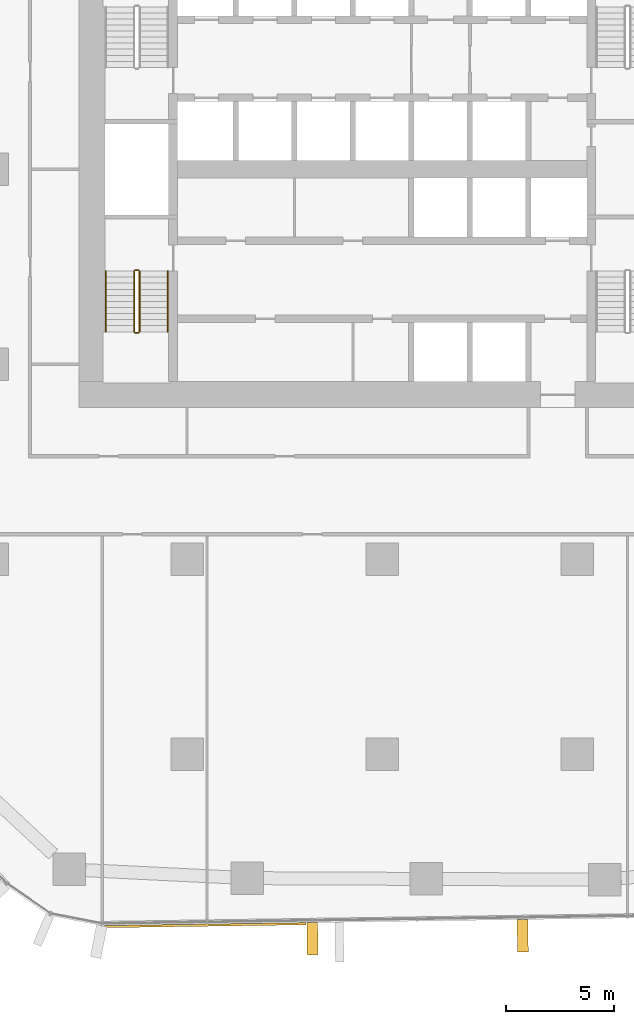
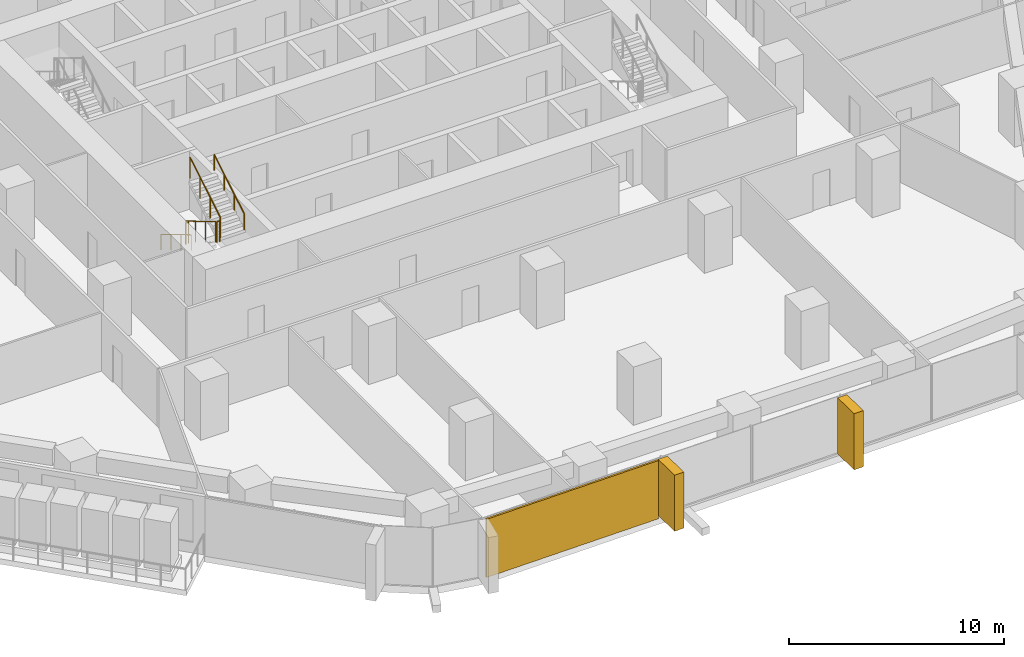
# One storey, part 19 of 24: 6 railings, 3 coverings, 1 element without a shape of its own.
"""IFC4 building model written with IfcOpenShell, lengths in metres."""

from ifc_helpers import new_model, si_unit, direction, frame, origin, origin_2d, place, context, subcontext, project, spatial, rectangle, circle, extrude, material, layer, layer_set, material_profile, profile_set, type_object, element, aggregate, save


model = new_model("IFC4")

# Units and contexts
model_context = context("Model", 3, precision=1e-05, world=origin(), true_north=direction((0.0, 1.0)))
body_context = subcontext(model_context, "Body", "Model", "MODEL_VIEW")
ifc_project = project(units=[si_unit("LENGTHUNIT", "METRE"), si_unit("AREAUNIT", "SQUARE_METRE"), si_unit("VOLUMEUNIT", "CUBIC_METRE"), si_unit("PLANEANGLEUNIT", "RADIAN"), si_unit("MASSUNIT", "GRAM", prefix="KILO")], contexts=[model_context])

# Site, building, storey
site_placement = place(None, origin())
site = spatial("IfcSite", under=ifc_project, at=site_placement, CompositionType="ELEMENT")
building_placement = place(site_placement, origin())
building = spatial("IfcBuilding", under=site, at=building_placement, Name="Dongbaek Canopy Tower", CompositionType="ELEMENT")
storey_placement = place(building_placement, frame((0.0, 0.0, 47.699951171875)))
storey = spatial("IfcBuildingStorey", under=building, at=storey_placement, Name="L07", CompositionType="ELEMENT", Elevation=47.699951171875)

# Curtain wall, coverings
ifc_material_1 = material(Name="Aluminium 6063-T6 pale anodised", Category="aluminium")
ifc_layer_1 = layer(ifc_material_1, 0.199951171875)
ifc_layer_set_1 = layer_set([ifc_layer_1], Name="CW-1 unitised tower curtain wall")
curtain_wall_type = type_object("IfcCurtainWallType", Name="CW-1 unitised tower curtain wall", PredefinedType="NOTDEFINED", material=ifc_layer_set_1)
curtain_wall_placement = place(storey_placement, origin())
curtain_wall = element("IfcCurtainWall", 1, at=curtain_wall_placement, inside=storey, type_object=curtain_wall_type, Name="CW-1 curtain wall F4.1", PredefinedType="NOTDEFINED")
ifc_material_2 = material(Name="Perforated aluminium 6063-T6 pale metal screen", Category="aluminium")
ifc_layer_2 = layer(ifc_material_2, 0.10009765625)
ifc_layer_set_2 = layer_set([ifc_layer_2], Name="Facet screen FS1 100 pale metal")
covering_type_1 = type_object("IfcCoveringType", Name="Facet screen FS1 100 pale metal", PredefinedType="CLADDING", material=ifc_layer_set_2)
covering_1_placement = place(storey_placement, frame((-8.160400390625, -34.88916015625, 0.0), z_axis=(0.0, 0.0, 1.0), x_axis=(0.999893146109, 0.014618357116, 0.0)))
covering_1 = element("IfcCovering", 2, at=covering_1_placement, type_object=covering_type_1, Name="Facet screen L07 F4", PredefinedType="CLADDING", context=body_context, shape_type="SweptSolid", body=[
    extrude(rectangle(XDim=9.28759765625, YDim=0.10009765625, at=origin_2d()), origin(), (0.0, 0.0, 1.0), 3.300048828125),
])
ifc_material_3 = material(Name="Aluminium 6063-T6 pale metal fin", Category="aluminium")
ifc_material_profile = material_profile(ifc_material_3, rectangle(XDim=1.5, YDim=0.5, at=origin_2d()), Name="Fin FN1 500 x 1500 pale metal")
ifc_profile_set = profile_set([ifc_material_profile], Name="Aluminium 6063-T6 pale metal fin")
covering_type_2 = type_object("IfcCoveringType", Name="Fin FN1 500 x 1500 pale metal", PredefinedType="CLADDING", material=ifc_profile_set)
covering_2_placement = place(storey_placement, frame((-3.216796875, -35.52099609375, 0.1201171875), z_axis=(0.0, 0.0, 1.0), x_axis=(0.014618811778, -0.999893139462, 0.0)))
covering_2 = element("IfcCovering", 3, at=covering_2_placement, type_object=covering_type_2, Name="Fin F4.1.3", PredefinedType="CLADDING", context=body_context, shape_type="SweptSolid", body=[
    extrude(rectangle(XDim=1.5, YDim=0.5, at=origin_2d()), origin(), (0.0, 0.0, 1.0), 3.179931640625),
])
covering_3_placement = place(storey_placement, frame((6.48583984375, -35.379150390625, 0.1201171875), z_axis=(0.0, 0.0, 1.0), x_axis=(0.014618811778, -0.999893139462, 0.0)))
covering_3 = element("IfcCovering", 4, at=covering_3_placement, type_object=covering_type_2, Name="Fin F4.1.5", PredefinedType="CLADDING", context=body_context, shape_type="SweptSolid", body=[
    extrude(rectangle(XDim=1.5, YDim=0.5, at=origin_2d()), origin(), (0.0, 0.0, 1.0), 3.179931640625),
])
aggregate(curtain_wall, [covering_2, covering_3, covering_1])

# Railings
ifc_material_4 = material(Name="Stainless steel tube and balusters", Category="steel")
railing_type_1 = type_object("IfcRailingType", Name="Stair guard 1200", PredefinedType="GUARDRAIL", material=ifc_material_4)
railing_1_placement = place(storey_placement, frame((-11.449951171875, -4.699951171875, 0.168212890625)))
element("IfcRailing", 5, at=railing_1_placement, inside=storey, type_object=railing_type_1, Name="L07 ST-D stair guard 1", PredefinedType="GUARDRAIL", context=body_context, shape_type="SweptSolid", body=[
    extrude(circle(Radius=0.02392578125, at=origin_2d()), frame((0.0, 0.0, 1.17578125), z_axis=(0.0, -0.857242210791, 0.514913383045), x_axis=(1.0, 0.0, 0.0)), (0.0, 0.0, 1.0), 3.266357421875),
    extrude(circle(Radius=0.02099609375, at=origin_2d()), origin(), (0.0, 0.0, 1.0), 1.15185546875),
    extrude(circle(Radius=0.02099609375, at=origin_2d()), frame((0.0, -0.933349609375, 0.560546875)), (0.0, 0.0, 1.0), 1.15185546875),
    extrude(circle(Radius=0.02099609375, at=origin_2d()), frame((0.0, -1.86669921875, 1.121337890625)), (0.0, 0.0, 1.0), 1.15185546875),
    extrude(circle(Radius=0.02099609375, at=origin_2d()), frame((0.0, -2.800048828125, 1.681884765625)), (0.0, 0.0, 1.0), 1.15185546875),
])
railing_2_placement = place(storey_placement, frame((-11.39990234375, -7.550048828125, 1.85009765625)))
element("IfcRailing", 6, at=railing_2_placement, inside=storey, type_object=railing_type_1, Name="L07 ST-D stair guard 2", PredefinedType="GUARDRAIL", context=body_context, shape_type="SweptSolid", body=[
    extrude(circle(Radius=0.02392578125, at=origin_2d()), frame((0.0, 0.0, 1.17578125), z_axis=(1.0, 0.0, 0.0), x_axis=(0.0, 1.0, 0.0)), (0.0, 0.0, 1.0), 0.14990234375),
    extrude(circle(Radius=0.02099609375, at=origin_2d()), origin(), (0.0, 0.0, 1.0), 1.15185546875),
    extrude(circle(Radius=0.02099609375, at=origin_2d()), frame((0.14990234375, 0.0, 0.0)), (0.0, 0.0, 1.0), 1.15185546875),
])
railing_3_placement = place(storey_placement, frame((-11.199951171875, -7.5, 2.018310546875)))
element("IfcRailing", 7, at=railing_3_placement, inside=storey, type_object=railing_type_1, Name="L07 ST-D stair guard 3", PredefinedType="GUARDRAIL", context=body_context, shape_type="SweptSolid", body=[
    extrude(circle(Radius=0.02392578125, at=origin_2d()), frame((0.0, 0.0, 1.17578125), z_axis=(0.0, 0.857275202839, 0.514858452973), x_axis=(-1.0, 0.0, 0.0)), (0.0, 0.0, 1.0), 3.26611328125),
    extrude(circle(Radius=0.02099609375, at=origin_2d()), origin(), (0.0, 0.0, 1.0), 1.15185546875),
    extrude(circle(Radius=0.02099609375, at=origin_2d()), frame((0.0, 0.933349609375, 0.560546875)), (0.0, 0.0, 1.0), 1.15185546875),
    extrude(circle(Radius=0.02099609375, at=origin_2d()), frame((0.0, 1.86669921875, 1.12109375)), (0.0, 0.0, 1.0), 1.15185546875),
    extrude(circle(Radius=0.02099609375, at=origin_2d()), frame((0.0, 2.800048828125, 1.681640625)), (0.0, 0.0, 1.0), 1.15185546875),
])
railing_4_placement = place(storey_placement, frame((-11.39990234375, -4.64990234375, 0.0)))
element("IfcRailing", 8, at=railing_4_placement, inside=storey, type_object=railing_type_1, Name="L07 ST-D stair guard 4", PredefinedType="GUARDRAIL", context=body_context, shape_type="SweptSolid", body=[
    extrude(circle(Radius=0.02392578125, at=origin_2d()), frame((0.0, 0.0, 1.17578125), z_axis=(1.0, 0.0, 0.0), x_axis=(0.0, 1.0, 0.0)), (0.0, 0.0, 1.0), 0.14990234375),
    extrude(circle(Radius=0.02099609375, at=origin_2d()), origin(), (0.0, 0.0, 1.0), 1.15185546875),
    extrude(circle(Radius=0.02099609375, at=origin_2d()), frame((0.14990234375, 0.0, 0.0)), (0.0, 0.0, 1.0), 1.15185546875),
])
ifc_material_5 = material(Name="Stainless steel tube", Category="steel")
railing_type_2 = type_object("IfcRailingType", Name="Stair handrail 900", PredefinedType="HANDRAIL", material=ifc_material_5)
railing_5_placement = place(storey_placement, frame((-12.75, -4.699951171875, 0.168212890625)))
element("IfcRailing", 9, at=railing_5_placement, inside=storey, type_object=railing_type_2, Name="L07 ST-D stair handrail 1", PredefinedType="HANDRAIL", context=body_context, shape_type="SweptSolid", body=[
    extrude(circle(Radius=0.02392578125, at=origin_2d()), frame((0.0, 0.0, 0.8759765625), z_axis=(0.0, -0.857242210791, 0.514913383045), x_axis=(1.0, 0.0, 0.0)), (0.0, 0.0, 1.0), 3.266357421875),
    extrude(circle(Radius=0.02099609375, at=origin_2d()), origin(), (0.0, 0.0, 1.0), 0.851806640625),
    extrude(circle(Radius=0.02099609375, at=origin_2d()), frame((0.0, -0.933349609375, 0.560546875)), (0.0, 0.0, 1.0), 0.851806640625),
    extrude(circle(Radius=0.02099609375, at=origin_2d()), frame((0.0, -1.86669921875, 1.121337890625)), (0.0, 0.0, 1.0), 0.851806640625),
    extrude(circle(Radius=0.02099609375, at=origin_2d()), frame((0.0, -2.800048828125, 1.681884765625)), (0.0, 0.0, 1.0), 0.851806640625),
])
railing_6_placement = place(storey_placement, frame((-9.89990234375, -7.5, 2.018310546875)))
element("IfcRailing", 10, at=railing_6_placement, inside=storey, type_object=railing_type_2, Name="L07 ST-D stair handrail 2", PredefinedType="HANDRAIL", context=body_context, shape_type="SweptSolid", body=[
    extrude(circle(Radius=0.02392578125, at=origin_2d()), frame((0.0, 0.0, 0.8759765625), z_axis=(0.0, 0.857275202839, 0.514858452973), x_axis=(-1.0, 0.0, 0.0)), (0.0, 0.0, 1.0), 3.26611328125),
    extrude(circle(Radius=0.02099609375, at=origin_2d()), origin(), (0.0, 0.0, 1.0), 0.851806640625),
    extrude(circle(Radius=0.02099609375, at=origin_2d()), frame((0.0, 0.933349609375, 0.560546875)), (0.0, 0.0, 1.0), 0.851806640625),
    extrude(circle(Radius=0.02099609375, at=origin_2d()), frame((0.0, 1.86669921875, 1.12109375)), (0.0, 0.0, 1.0), 0.851806640625),
    extrude(circle(Radius=0.02099609375, at=origin_2d()), frame((0.0, 2.800048828125, 1.681640625)), (0.0, 0.0, 1.0), 0.851806640625),
])

save(model, "model.ifc")
